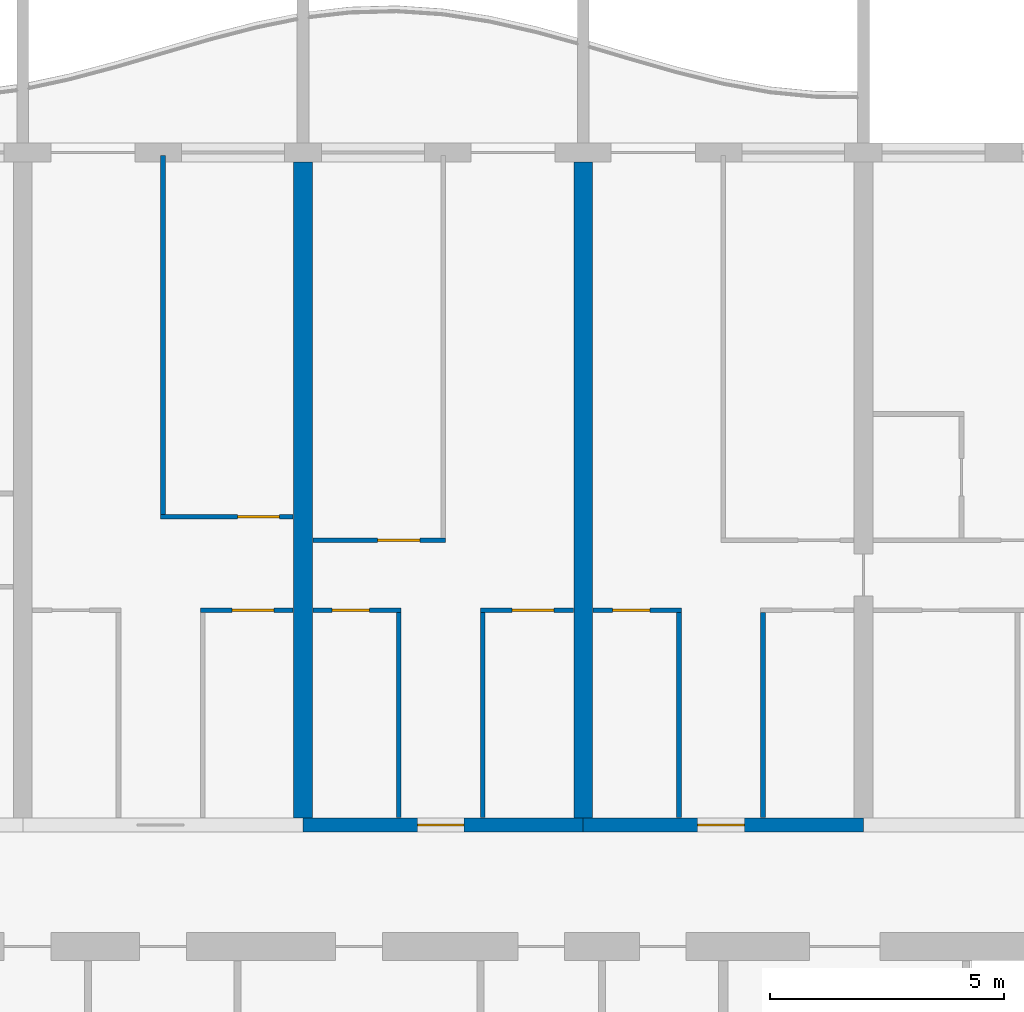
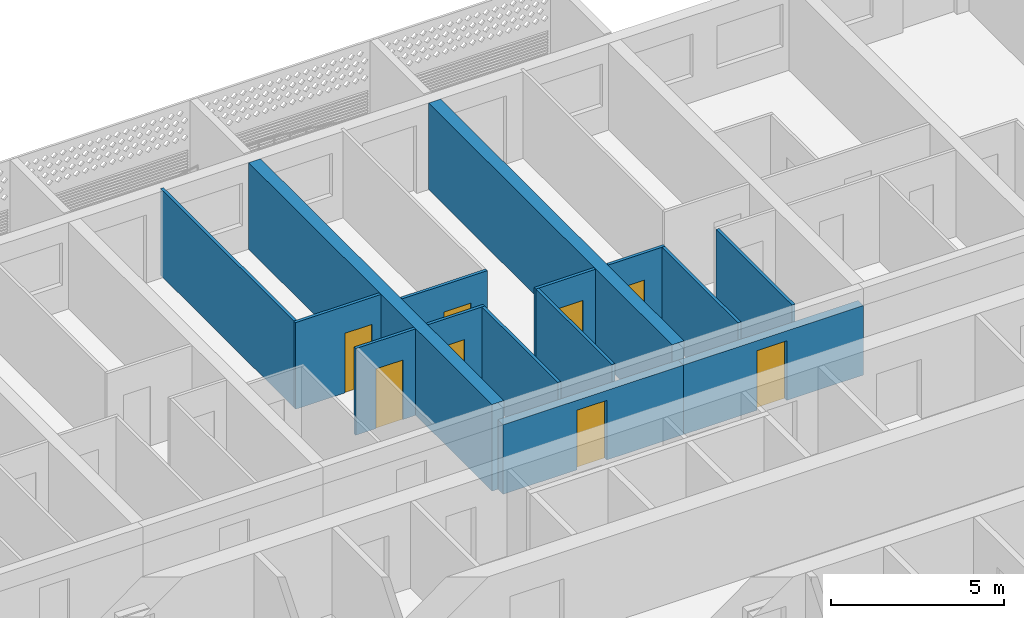
# One storey, part 14 of 44: 15 walls, 8 doors, 8 openings.
"""IFC4 building model written with IfcOpenShell, lengths in metres."""

from ifc_helpers import new_model, si_unit, direction, frame, frame_2d, origin, place, context, subcontext, project, spatial, rectangle, extrude, material, layer, layer_set, type_object, element, fill, save


model = new_model("IFC4")

# Units and contexts
model_context = context("Model", 3, precision=1e-05, world=origin(), true_north=direction((0.0, 1.0)))
body_context = subcontext(model_context, "Body", "Model", "MODEL_VIEW")
ifc_project = project(units=[si_unit("LENGTHUNIT", "METRE"), si_unit("AREAUNIT", "SQUARE_METRE"), si_unit("VOLUMEUNIT", "CUBIC_METRE"), si_unit("PLANEANGLEUNIT", "RADIAN"), si_unit("MASSUNIT", "GRAM", prefix="KILO")], contexts=[model_context])

# Site, building, storey
site_placement = place(None, origin())
site = spatial("IfcSite", under=ifc_project, at=site_placement, CompositionType="ELEMENT")
building_placement = place(site_placement, origin())
building = spatial("IfcBuilding", under=site, at=building_placement, Name="Poui Terraces", CompositionType="ELEMENT")
storey_placement = place(building_placement, frame((0.0, 0.0, 30.0)))
storey = spatial("IfcBuildingStorey", under=building, at=storey_placement, Name="L07", CompositionType="ELEMENT", Elevation=30.0)

# Wall, opening, door
ifc_material_1 = material(Name="Concrete 80 MPa", Category="concrete")
ifc_layer_1 = layer(ifc_material_1, 0.300048828125)
ifc_layer_set_1 = layer_set([ifc_layer_1], Name="Concrete 80 MPa")
wall_type_1 = type_object("IfcWallType", Name="CORRIDOR WALL 300 80MPa", PredefinedType="SHEAR", material=ifc_layer_set_1)
wall_1_placement = place(storey_placement, frame((54.0, 30.39990234375, 0.0), z_axis=(0.0, 0.0, 1.0), x_axis=(1.0, 0.0, 0.0)))
wall_1 = element("IfcWall", 1, at=wall_1_placement, inside=storey, type_object=wall_type_1, Name="CORRIDOR WALL LINE E BAY 10", PredefinedType="SHEAR", context=body_context, shape_type="SweptSolid", body=[
    extrude(rectangle(XDim=6.0, YDim=0.300048828125, at=frame_2d((3.0, 0.0))), origin(), (0.0, 0.0, 1.0), 2.449951171875),
])
opening_1_placement = place(wall_1_placement, frame((2.449951171875, 0.0, 0.0)))
opening_1 = element("IfcOpeningElement", 2, at=opening_1_placement, cuts=wall_1, Name="Opening FD30S", PredefinedType="OPENING", context=body_context, shape_type="SweptSolid", body=[
    extrude(rectangle(XDim=1.0, YDim=2.10009765625, at=frame_2d((0.5, 1.050048828125))), frame((0.0, 0.16015625, 0.0), z_axis=(0.0, -1.0, 0.0), x_axis=(1.0, 0.0, 0.0)), (0.0, 0.0, 1.0), 0.320068359375),
])
ifc_material_2 = material(Name="Steel fire door", Category="steel")
door_type_1 = type_object("IfcDoorType", Name="FLAT ENTRANCE DOOR 1000 X 2100", OperationType="NOTDEFINED", PredefinedType="DOOR", material=ifc_material_2)
door_1_placement = place(opening_1_placement, origin())
door_1 = element("IfcDoor", 3, at=door_1_placement, inside=storey, type_object=door_type_1, Name="FLAT ENTRANCE DOOR 065", OperationType="SINGLE_SWING_LEFT", OverallHeight=2.10009765625, OverallWidth=1.0, PredefinedType="DOOR", context=body_context, shape_type="SweptSolid", body=[
    extrude(rectangle(XDim=1.0, YDim=2.10009765625, at=frame_2d((0.5, 1.050048828125))), frame((0.0, 0.02490234375, 0.0), z_axis=(0.0, -1.0, 0.0), x_axis=(1.0, 0.0, 0.0)), (0.0, 0.0, 1.0), 0.050048828125),
])
fill(opening_1, door_1)

wall_2_placement = place(storey_placement, frame((60.0, 30.39990234375, 0.0), z_axis=(0.0, 0.0, 1.0), x_axis=(1.0, 0.0, 0.0)))
wall_2 = element("IfcWall", 4, at=wall_2_placement, inside=storey, type_object=wall_type_1, Name="CORRIDOR WALL LINE E BAY 11", PredefinedType="SHEAR", context=body_context, shape_type="SweptSolid", body=[
    extrude(rectangle(XDim=6.0, YDim=0.300048828125, at=frame_2d((3.0, 0.0))), origin(), (0.0, 0.0, 1.0), 2.449951171875),
])
opening_2_placement = place(wall_2_placement, frame((2.449951171875, 0.0, 0.0)))
opening_2 = element("IfcOpeningElement", 5, at=opening_2_placement, cuts=wall_2, Name="Opening FD30S", PredefinedType="OPENING", context=body_context, shape_type="SweptSolid", body=[
    extrude(rectangle(XDim=1.0, YDim=2.10009765625, at=frame_2d((0.5, 1.050048828125))), frame((0.0, 0.16015625, 0.0), z_axis=(0.0, -1.0, 0.0), x_axis=(1.0, 0.0, 0.0)), (0.0, 0.0, 1.0), 0.320068359375),
])
door_2_placement = place(opening_2_placement, origin())
door_2 = element("IfcDoor", 6, at=door_2_placement, inside=storey, type_object=door_type_1, Name="FLAT ENTRANCE DOOR 071", OperationType="SINGLE_SWING_LEFT", OverallHeight=2.10009765625, OverallWidth=1.0, PredefinedType="DOOR", context=body_context, shape_type="SweptSolid", body=[
    extrude(rectangle(XDim=1.0, YDim=2.10009765625, at=frame_2d((0.5, 1.050048828125))), frame((0.0, 0.02490234375, 0.0), z_axis=(0.0, -1.0, 0.0), x_axis=(1.0, 0.0, 0.0)), (0.0, 0.0, 1.0), 0.050048828125),
])
fill(opening_2, door_2)

# Walls
ifc_layer_2 = layer(ifc_material_1, 0.39990234375)
ifc_layer_set_2 = layer_set([ifc_layer_2], Name="Concrete 80 MPa")
wall_type_2 = type_object("IfcWallType", Name="CROSS WALL 400 80MPa", PredefinedType="SHEAR", material=ifc_layer_set_2)
for number, where, z_axis, x_axis, name in (
    (7, (54.0, 30.550048828125, 0.0), (0.0, 0.0, 1.0), (0.0, 1.0, 0.0), "CROSS WALL LINE 10 NORTH"),
    (8, (60.0, 30.550048828125, 0.0), (0.0, 0.0, 1.0), (0.0, 1.0, 0.0), "CROSS WALL LINE 11 NORTH"),
):
    element("IfcWall", number, at=place(storey_placement, frame(where, z_axis=z_axis, x_axis=x_axis)), inside=storey, type_object=wall_type_2, Name=name, PredefinedType="SHEAR", context=body_context, shape_type="SweptSolid", body=[
        extrude(rectangle(XDim=14.050048828125, YDim=0.39990234375, at=frame_2d((7.02490234375, 0.0))), origin(), (0.0, 0.0, 1.0), 3.050048828125),
    ])

# Wall, opening, door
ifc_material_3 = material(Name="Plasterboard partition")
ifc_layer_3 = layer(ifc_material_3, 0.10009765625)
ifc_layer_set_3 = layer_set([ifc_layer_3], Name="Plasterboard partition")
wall_type_3 = type_object("IfcWallType", Name="FLAT PARTITION 100", PredefinedType="PARTITIONING", material=ifc_layer_set_3)
wall_3_placement = place(storey_placement, frame((51.800048828125, 35.0, 0.0), z_axis=(0.0, 0.0, 1.0), x_axis=(1.0, 0.0, 0.0)))
wall_3 = element("IfcWall", 9, at=wall_3_placement, inside=storey, type_object=wall_type_3, Name="FLAT PARTITION 100", PredefinedType="PARTITIONING", context=body_context, shape_type="SweptSolid", body=[
    extrude(rectangle(XDim=1.989990234375, YDim=0.10009765625, at=frame_2d((0.9951171875, 0.0))), origin(), (0.0, 0.0, 1.0), 3.050048828125),
])
opening_3_placement = place(wall_3_placement, frame((0.675048828125, 0.0, 0.0)))
opening_3 = element("IfcOpeningElement", 10, at=opening_3_placement, cuts=wall_3, Name="Opening D90", PredefinedType="OPENING", context=body_context, shape_type="SweptSolid", body=[
    extrude(rectangle(XDim=0.89990234375, YDim=2.10009765625, at=frame_2d((0.449951171875, 1.050048828125))), frame((0.0, 0.06005859375, 0.0), z_axis=(0.0, -1.0, 0.0), x_axis=(1.0, 0.0, 0.0)), (0.0, 0.0, 1.0), 0.1201171875),
])
ifc_material_4 = material(Name="Solid core timber door", Category="wood")
door_type_2 = type_object("IfcDoorType", Name="INTERNAL DOOR 900 X 2100", OperationType="NOTDEFINED", PredefinedType="DOOR", material=ifc_material_4)
door_3_placement = place(opening_3_placement, frame((0.89990234375, 0.0, 0.0), z_axis=(0.0, 0.0, 1.0), x_axis=(-1.0, 0.0, 0.0)))
door_3 = element("IfcDoor", 11, at=door_3_placement, inside=storey, type_object=door_type_2, Name="INTERNAL DOOR 061", OperationType="SINGLE_SWING_LEFT", OverallHeight=2.10009765625, OverallWidth=0.89990234375, PredefinedType="DOOR", context=body_context, shape_type="SweptSolid", body=[
    extrude(rectangle(XDim=0.89990234375, YDim=2.10009765625, at=frame_2d((0.449951171875, 1.050048828125))), frame((0.0, 0.02490234375, 0.0), z_axis=(0.0, -1.0, 0.0), x_axis=(1.0, 0.0, 0.0)), (0.0, 0.0, 1.0), 0.050048828125),
])
fill(opening_3, door_3)

wall_4_placement = place(storey_placement, frame((54.2099609375, 35.0, 0.0), z_axis=(0.0, 0.0, 1.0), x_axis=(1.0, 0.0, 0.0)))
wall_4 = element("IfcWall", 12, at=wall_4_placement, inside=storey, type_object=wall_type_3, Name="FLAT PARTITION 100", PredefinedType="PARTITIONING", context=body_context, shape_type="SweptSolid", body=[
    extrude(rectangle(XDim=1.89013671875, YDim=0.10009765625, at=frame_2d((0.945068359375, 0.0))), origin(), (0.0, 0.0, 1.0), 3.050048828125),
])
opening_4_placement = place(wall_4_placement, frame((0.4150390625, 0.0, 0.0)))
opening_4 = element("IfcOpeningElement", 13, at=opening_4_placement, cuts=wall_4, Name="Opening D80", PredefinedType="OPENING", context=body_context, shape_type="SweptSolid", body=[
    extrude(rectangle(XDim=0.800048828125, YDim=2.10009765625, at=frame_2d((0.39990234375, 1.050048828125))), frame((0.0, 0.06005859375, 0.0), z_axis=(0.0, -1.0, 0.0), x_axis=(1.0, 0.0, 0.0)), (0.0, 0.0, 1.0), 0.1201171875),
])
door_type_3 = type_object("IfcDoorType", Name="BATHROOM, LAUNDRY AND STORE DOOR 800 X 2100", OperationType="NOTDEFINED", PredefinedType="DOOR", material=ifc_material_4)
door_4_placement = place(opening_4_placement, frame((0.800048828125, 0.0, 0.0), z_axis=(0.0, 0.0, 1.0), x_axis=(-1.0, 0.0, 0.0)))
door_4 = element("IfcDoor", 14, at=door_4_placement, inside=storey, type_object=door_type_3, Name="BATHROOM, LAUNDRY AND STORE DOOR 063", OperationType="SINGLE_SWING_LEFT", OverallHeight=2.10009765625, OverallWidth=0.800048828125, PredefinedType="DOOR", context=body_context, shape_type="SweptSolid", body=[
    extrude(rectangle(XDim=0.800048828125, YDim=2.10009765625, at=frame_2d((0.39990234375, 1.050048828125))), frame((0.0, 0.02490234375, 0.0), z_axis=(0.0, -1.0, 0.0), x_axis=(1.0, 0.0, 0.0)), (0.0, 0.0, 1.0), 0.050048828125),
])
fill(opening_4, door_4)

wall_5_placement = place(storey_placement, frame((57.800048828125, 35.0, 0.0), z_axis=(0.0, 0.0, 1.0), x_axis=(1.0, 0.0, 0.0)))
wall_5 = element("IfcWall", 15, at=wall_5_placement, inside=storey, type_object=wall_type_3, Name="FLAT PARTITION 100", PredefinedType="PARTITIONING", context=body_context, shape_type="SweptSolid", body=[
    extrude(rectangle(XDim=1.989990234375, YDim=0.10009765625, at=frame_2d((0.9951171875, 0.0))), origin(), (0.0, 0.0, 1.0), 3.050048828125),
])
opening_5_placement = place(wall_5_placement, frame((0.675048828125, 0.0, 0.0)))
opening_5 = element("IfcOpeningElement", 16, at=opening_5_placement, cuts=wall_5, Name="Opening D90", PredefinedType="OPENING", context=body_context, shape_type="SweptSolid", body=[
    extrude(rectangle(XDim=0.89990234375, YDim=2.10009765625, at=frame_2d((0.449951171875, 1.050048828125))), frame((0.0, 0.06005859375, 0.0), z_axis=(0.0, -1.0, 0.0), x_axis=(1.0, 0.0, 0.0)), (0.0, 0.0, 1.0), 0.1201171875),
])
door_5_placement = place(opening_5_placement, frame((0.89990234375, 0.0, 0.0), z_axis=(0.0, 0.0, 1.0), x_axis=(-1.0, 0.0, 0.0)))
door_5 = element("IfcDoor", 17, at=door_5_placement, inside=storey, type_object=door_type_2, Name="INTERNAL DOOR 066", OperationType="SINGLE_SWING_RIGHT", OverallHeight=2.10009765625, OverallWidth=0.89990234375, PredefinedType="DOOR", context=body_context, shape_type="SweptSolid", body=[
    extrude(rectangle(XDim=0.89990234375, YDim=2.10009765625, at=frame_2d((0.449951171875, 1.050048828125))), frame((0.0, 0.02490234375, 0.0), z_axis=(0.0, -1.0, 0.0), x_axis=(1.0, 0.0, 0.0)), (0.0, 0.0, 1.0), 0.050048828125),
])
fill(opening_5, door_5)

wall_6_placement = place(storey_placement, frame((60.2099609375, 35.0, 0.0), z_axis=(0.0, 0.0, 1.0), x_axis=(1.0, 0.0, 0.0)))
wall_6 = element("IfcWall", 18, at=wall_6_placement, inside=storey, type_object=wall_type_3, Name="FLAT PARTITION 100", PredefinedType="PARTITIONING", context=body_context, shape_type="SweptSolid", body=[
    extrude(rectangle(XDim=1.89013671875, YDim=0.10009765625, at=frame_2d((0.945068359375, 0.0))), origin(), (0.0, 0.0, 1.0), 3.050048828125),
])
opening_6_placement = place(wall_6_placement, frame((0.4150390625, 0.0, 0.0)))
opening_6 = element("IfcOpeningElement", 19, at=opening_6_placement, cuts=wall_6, Name="Opening D80", PredefinedType="OPENING", context=body_context, shape_type="SweptSolid", body=[
    extrude(rectangle(XDim=0.800048828125, YDim=2.10009765625, at=frame_2d((0.39990234375, 1.050048828125))), frame((0.0, 0.06005859375, 0.0), z_axis=(0.0, -1.0, 0.0), x_axis=(1.0, 0.0, 0.0)), (0.0, 0.0, 1.0), 0.1201171875),
])
door_6_placement = place(opening_6_placement, frame((0.800048828125, 0.0, 0.0), z_axis=(0.0, 0.0, 1.0), x_axis=(-1.0, 0.0, 0.0)))
door_6 = element("IfcDoor", 20, at=door_6_placement, inside=storey, type_object=door_type_3, Name="BATHROOM, LAUNDRY AND STORE DOOR 070", OperationType="SINGLE_SWING_RIGHT", OverallHeight=2.10009765625, OverallWidth=0.800048828125, PredefinedType="DOOR", context=body_context, shape_type="SweptSolid", body=[
    extrude(rectangle(XDim=0.800048828125, YDim=2.10009765625, at=frame_2d((0.39990234375, 1.050048828125))), frame((0.0, 0.02490234375, 0.0), z_axis=(0.0, -1.0, 0.0), x_axis=(1.0, 0.0, 0.0)), (0.0, 0.0, 1.0), 0.050048828125),
])
fill(opening_6, door_6)

wall_7_placement = place(storey_placement, frame((54.2099609375, 36.5, 0.0), z_axis=(0.0, 0.0, 1.0), x_axis=(1.0, 0.0, 0.0)))
wall_7 = element("IfcWall", 21, at=wall_7_placement, inside=storey, type_object=wall_type_3, Name="FLAT PARTITION 100", PredefinedType="PARTITIONING", context=body_context, shape_type="SweptSolid", body=[
    extrude(rectangle(XDim=2.840087890625, YDim=0.10009765625, at=frame_2d((1.419921875, 0.0))), origin(), (0.0, 0.0, 1.0), 3.050048828125),
])
opening_7_placement = place(wall_7_placement, frame((1.389892578125, 0.0, 0.0)))
opening_7 = element("IfcOpeningElement", 22, at=opening_7_placement, cuts=wall_7, Name="Opening D90", PredefinedType="OPENING", context=body_context, shape_type="SweptSolid", body=[
    extrude(rectangle(XDim=0.89990234375, YDim=2.10009765625, at=frame_2d((0.449951171875, 1.050048828125))), frame((0.0, 0.06005859375, 0.0), z_axis=(0.0, -1.0, 0.0), x_axis=(1.0, 0.0, 0.0)), (0.0, 0.0, 1.0), 0.1201171875),
])
door_7_placement = place(opening_7_placement, frame((0.89990234375, 0.0, 0.0), z_axis=(0.0, 0.0, 1.0), x_axis=(-1.0, 0.0, 0.0)))
door_7 = element("IfcDoor", 23, at=door_7_placement, inside=storey, type_object=door_type_2, Name="INTERNAL DOOR 064", OperationType="SINGLE_SWING_RIGHT", OverallHeight=2.10009765625, OverallWidth=0.89990234375, PredefinedType="DOOR", context=body_context, shape_type="SweptSolid", body=[
    extrude(rectangle(XDim=0.89990234375, YDim=2.10009765625, at=frame_2d((0.449951171875, 1.050048828125))), frame((0.0, 0.02490234375, 0.0), z_axis=(0.0, -1.0, 0.0), x_axis=(1.0, 0.0, 0.0)), (0.0, 0.0, 1.0), 0.050048828125),
])
fill(opening_7, door_7)

wall_8_placement = place(storey_placement, frame((50.949951171875, 37.0, 0.0), z_axis=(0.0, 0.0, 1.0), x_axis=(1.0, 0.0, 0.0)))
wall_8 = element("IfcWall", 24, at=wall_8_placement, inside=storey, type_object=wall_type_3, Name="FLAT PARTITION 100", PredefinedType="PARTITIONING", context=body_context, shape_type="SweptSolid", body=[
    extrude(rectangle(XDim=2.840087890625, YDim=0.10009765625, at=frame_2d((1.419921875, 0.0))), origin(), (0.0, 0.0, 1.0), 3.050048828125),
])
opening_8_placement = place(wall_8_placement, frame((1.64990234375, 0.0, 0.0)))
opening_8 = element("IfcOpeningElement", 25, at=opening_8_placement, cuts=wall_8, Name="Opening D90", PredefinedType="OPENING", context=body_context, shape_type="SweptSolid", body=[
    extrude(rectangle(XDim=0.89990234375, YDim=2.10009765625, at=frame_2d((0.449951171875, 1.050048828125))), frame((0.0, 0.06005859375, 0.0), z_axis=(0.0, -1.0, 0.0), x_axis=(1.0, 0.0, 0.0)), (0.0, 0.0, 1.0), 0.1201171875),
])
door_8_placement = place(opening_8_placement, frame((0.89990234375, 0.0, 0.0), z_axis=(0.0, 0.0, 1.0), x_axis=(-1.0, 0.0, 0.0)))
door_8 = element("IfcDoor", 26, at=door_8_placement, inside=storey, type_object=door_type_2, Name="INTERNAL DOOR 062", OperationType="SINGLE_SWING_RIGHT", OverallHeight=2.10009765625, OverallWidth=0.89990234375, PredefinedType="DOOR", context=body_context, shape_type="SweptSolid", body=[
    extrude(rectangle(XDim=0.89990234375, YDim=2.10009765625, at=frame_2d((0.449951171875, 1.050048828125))), frame((0.0, 0.02490234375, 0.0), z_axis=(0.0, -1.0, 0.0), x_axis=(1.0, 0.0, 0.0)), (0.0, 0.0, 1.0), 0.050048828125),
])
fill(opening_8, door_8)

# Walls
wall_9_placement = place(storey_placement, frame((51.0, 37.050048828125, 0.0), z_axis=(0.0, 0.0, 1.0), x_axis=(0.0, 1.0, 0.0)))
element("IfcWall", 27, at=wall_9_placement, inside=storey, type_object=wall_type_3, Name="FLAT PARTITION 100", PredefinedType="PARTITIONING", context=body_context, shape_type="SweptSolid", body=[
    extrude(rectangle(XDim=7.68994140625, YDim=0.10009765625, at=frame_2d((3.844970703125, 0.0))), origin(), (0.0, 0.0, 1.0), 3.050048828125),
])
for number, where, z_axis, x_axis, name in (
    (28, (56.050048828125, 30.56005859375, 0.0), (0.0, 0.0, 1.0), (0.0, 1.0, 0.0), "FLAT PARTITION 100"),
    (29, (57.85009765625, 30.56005859375, 0.0), (0.0, 0.0, 1.0), (0.0, 1.0, 0.0), "FLAT PARTITION 100"),
    (30, (62.050048828125, 30.56005859375, 0.0), (0.0, 0.0, 1.0), (0.0, 1.0, 0.0), "FLAT PARTITION 100"),
    (31, (63.85009765625, 30.56005859375, 0.0), (0.0, 0.0, 1.0), (0.0, 1.0, 0.0), "FLAT PARTITION 100"),
):
    element("IfcWall", number, at=place(storey_placement, frame(where, z_axis=z_axis, x_axis=x_axis)), inside=storey, type_object=wall_type_3, Name=name, PredefinedType="PARTITIONING", context=body_context, shape_type="SweptSolid", body=[
        extrude(rectangle(XDim=4.389892578125, YDim=0.10009765625, at=frame_2d((2.19482421875, 0.0))), origin(), (0.0, 0.0, 1.0), 3.050048828125),
    ])

save(model, "model.ifc")
